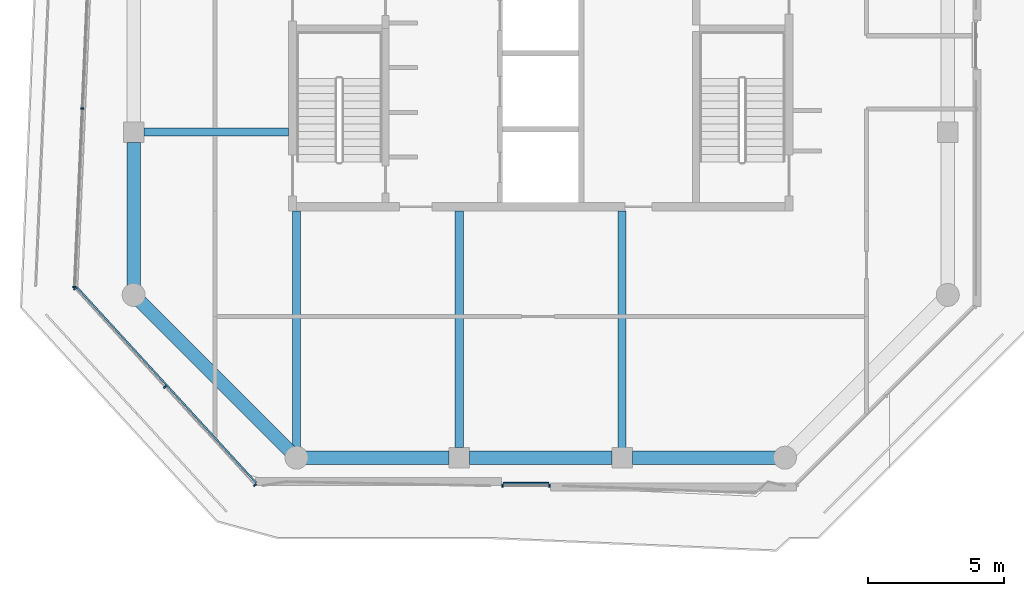
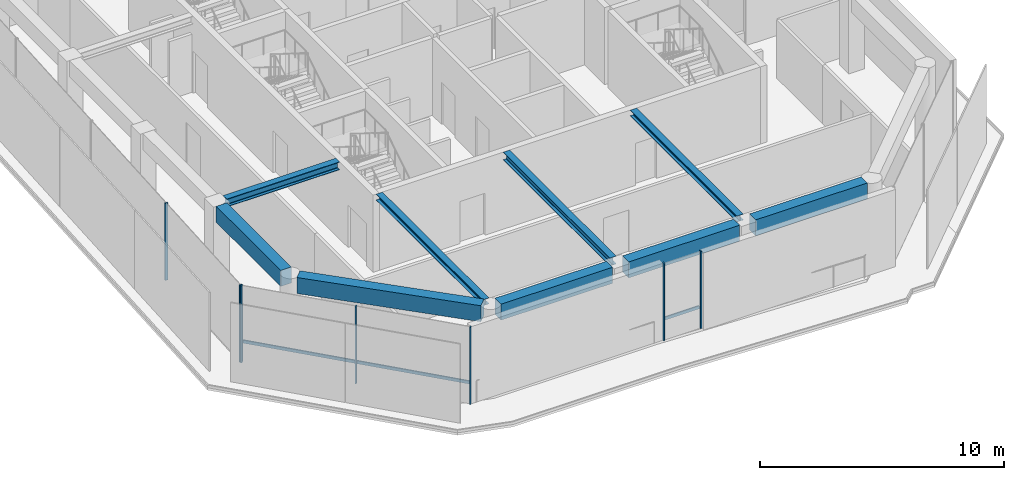
# One storey, part 2 of 19: 9 beams, 9 members, 3 elements without a shape of their own.
"""IFC4 building model written with IfcOpenShell, lengths in metres."""

from ifc_helpers import new_model, si_unit, direction, frame, origin, origin_2d, place, context, subcontext, project, spatial, rectangle, i_section, extrude, material, layer, layer_set, material_profile, profile_set, type_object, element, aggregate, save


model = new_model("IFC4")

# Units and contexts
model_context = context("Model", 3, precision=1e-05, world=origin(), true_north=direction((0.0, 1.0)))
body_context = subcontext(model_context, "Body", "Model", "MODEL_VIEW")
ifc_project = project(units=[si_unit("LENGTHUNIT", "METRE"), si_unit("AREAUNIT", "SQUARE_METRE"), si_unit("VOLUMEUNIT", "CUBIC_METRE"), si_unit("PLANEANGLEUNIT", "RADIAN"), si_unit("MASSUNIT", "GRAM", prefix="KILO")], contexts=[model_context])

# Site, building, storey
site_placement = place(None, origin())
site = spatial("IfcSite", under=ifc_project, at=site_placement, CompositionType="ELEMENT")
building_placement = place(site_placement, origin())
building = spatial("IfcBuilding", under=site, at=building_placement, Name="Welwitschia Terrace Campus", CompositionType="ELEMENT")
storey_placement = place(building_placement, frame((0.0, 0.0, 276.800048828125)))
storey = spatial("IfcBuildingStorey", under=building, at=storey_placement, Name="L61", CompositionType="ELEMENT", Elevation=276.800048828125)

# Beams
ifc_material_1 = material(Name="Steel S355", Category="steel")
ifc_material_profile_1 = material_profile(ifc_material_1, i_section(OverallWidth=0.300048828125, OverallDepth=0.300048828125, WebThickness=0.010986328125, FlangeThickness=0.01904296875, FilletRadius=0.027099609375, at=origin_2d()))
ifc_profile_set_1 = profile_set([ifc_material_profile_1], Name="Steel S355")
beam_type_1 = type_object("IfcBeamType", Name="Interior girder HE 300 B", PredefinedType="BEAM", material=ifc_profile_set_1)
beam_1_placement = place(storey_placement, frame((6.0, -3.611572265625, 3.699951171875), z_axis=(0.0, 1.0, 0.0), x_axis=(-1.0, 0.0, 0.0)))
element("IfcBeam", 1, at=beam_1_placement, inside=storey, type_object=beam_type_1, Name="Girder GB6", PredefinedType="BEAM", context=body_context, shape_type="SweptSolid", body=[
    extrude(i_section(OverallWidth=0.300048828125, OverallDepth=0.300048828125, WebThickness=0.010986328125, FlangeThickness=0.01904296875, FilletRadius=0.027099609375, at=origin_2d()), origin(), (0.0, 0.0, 1.0), 8.710693359375),
])
beam_2_placement = place(storey_placement, frame((18.0, -3.634521484375, 3.699951171875), z_axis=(0.0, 1.0, 0.0), x_axis=(-1.0, 0.0, 0.0)))
element("IfcBeam", 2, at=beam_2_placement, inside=storey, type_object=beam_type_1, Name="Girder GB6", PredefinedType="BEAM", context=body_context, shape_type="SweptSolid", body=[
    extrude(i_section(OverallWidth=0.300048828125, OverallDepth=0.300048828125, WebThickness=0.010986328125, FlangeThickness=0.01904296875, FilletRadius=0.027099609375, at=origin_2d()), origin(), (0.0, 0.0, 1.0), 8.733642578125),
])

# Curtain wall, members
ifc_material_2 = material(Name="Bronze anodised aluminium", Category="aluminium")
ifc_layer = layer(ifc_material_2, 0.1201171875)
ifc_layer_set = layer_set([ifc_layer], Name="Bronze anodised aluminium")
curtain_wall_type = type_object("IfcCurtainWallType", Name="Curtain wall CW2 tower 6000", PredefinedType="NOTDEFINED", material=ifc_layer_set)
curtain_wall_1_placement = place(storey_placement, origin())
curtain_wall_1 = element("IfcCurtainWall", 3, at=curtain_wall_1_placement, inside=storey, type_object=curtain_wall_type, Name="CW L61.0.0", PredefinedType="NOTDEFINED")
ifc_material_3 = material(Name="Bronze anodised aluminium", Category="aluminium")
ifc_material_profile_2 = material_profile(ifc_material_3, rectangle(XDim=0.1201171875, YDim=0.06005859375, at=origin_2d()))
ifc_profile_set_2 = profile_set([ifc_material_profile_2], Name="Bronze anodised aluminium")
member_type_1 = type_object("IfcMemberType", Name="Mullion 60x120", PredefinedType="MULLION", material=ifc_profile_set_2)
member_1_placement = place(storey_placement, frame((-1.896484375, 8.868896484375, 0.0), z_axis=(0.0, 0.0, 1.0), x_axis=(0.999048221582, -0.043619387365, 0.0)))
member_1 = element("IfcMember", 4, at=member_1_placement, type_object=member_type_1, Name="Mullion L61.0.0.3", PredefinedType="MULLION", context=body_context, shape_type="SweptSolid", body=[
    extrude(rectangle(XDim=0.1201171875, YDim=0.06005859375, at=origin_2d()), origin(), (0.0, 0.0, 1.0), 3.849853515625),
])
member_2_placement = place(storey_placement, frame((-2.18408203125, 2.283203125, 0.0), z_axis=(0.0, 0.0, 1.0), x_axis=(0.999048221582, -0.043619387365, 0.0)))
member_2 = element("IfcMember", 5, at=member_2_placement, type_object=member_type_1, Name="Mullion L61.0.0.4", PredefinedType="MULLION", context=body_context, shape_type="SweptSolid", body=[
    extrude(rectangle(XDim=0.1201171875, YDim=0.06005859375, at=origin_2d()), origin(), (0.0, 0.0, 1.0), 3.849853515625),
])
aggregate(curtain_wall_1, [member_1, member_2])

curtain_wall_2_placement = place(storey_placement, origin())
curtain_wall_2 = element("IfcCurtainWall", 6, at=curtain_wall_2_placement, inside=storey, type_object=curtain_wall_type, Name="CW L61.1.0", PredefinedType="NOTDEFINED")
member_3_placement = place(storey_placement, frame((-2.1650390625, 2.231201171875, 0.0), z_axis=(0.0, 0.0, 1.0), x_axis=(0.73727733681, 0.675590207616, 0.0)))
member_3 = element("IfcMember", 7, at=member_3_placement, type_object=member_type_1, Name="Mullion L61.1.0.0", PredefinedType="MULLION", context=body_context, shape_type="SweptSolid", body=[
    extrude(rectangle(XDim=0.1201171875, YDim=0.06005859375, at=origin_2d()), origin(), (0.0, 0.0, 1.0), 3.849853515625),
])
member_4_placement = place(storey_placement, frame((1.151611328125, -1.388427734375, 0.0), z_axis=(0.0, 0.0, 1.0), x_axis=(0.73727733681, 0.675590207616, 0.0)))
member_4 = element("IfcMember", 8, at=member_4_placement, type_object=member_type_1, Name="Mullion L61.1.0.1", PredefinedType="MULLION", context=body_context, shape_type="SweptSolid", body=[
    extrude(rectangle(XDim=0.1201171875, YDim=0.06005859375, at=origin_2d()), origin(), (0.0, 0.0, 1.0), 3.849853515625),
])
member_5_placement = place(storey_placement, frame((4.46826171875, -5.0078125, 0.0), z_axis=(0.0, 0.0, 1.0), x_axis=(0.73727733681, 0.675590207616, 0.0)))
member_5 = element("IfcMember", 9, at=member_5_placement, type_object=member_type_1, Name="Mullion L61.1.0.2", PredefinedType="MULLION", context=body_context, shape_type="SweptSolid", body=[
    extrude(rectangle(XDim=0.1201171875, YDim=0.06005859375, at=origin_2d()), origin(), (0.0, 0.0, 1.0), 3.849853515625),
])

curtain_wall_3_placement = place(storey_placement, origin())
curtain_wall_3 = element("IfcCurtainWall", 10, at=curtain_wall_3_placement, inside=storey, type_object=curtain_wall_type, Name="CW L61.2.S0", PredefinedType="NOTDEFINED")
member_6_placement = place(storey_placement, frame((13.587646484375, -5.030029296875, 0.0), z_axis=(0.0, 0.0, 1.0), x_axis=(0.0, 1.0, 0.0)))
member_6 = element("IfcMember", 11, at=member_6_placement, type_object=member_type_1, Name="Mullion L61.2.S0.0", PredefinedType="MULLION", context=body_context, shape_type="SweptSolid", body=[
    extrude(rectangle(XDim=0.1201171875, YDim=0.06005859375, at=origin_2d()), origin(), (0.0, 0.0, 1.0), 3.849853515625),
])
member_7_placement = place(storey_placement, frame((15.32763671875, -5.030029296875, 0.0), z_axis=(0.0, 0.0, 1.0), x_axis=(0.0, 1.0, 0.0)))
member_7 = element("IfcMember", 12, at=member_7_placement, type_object=member_type_1, Name="Mullion L61.2.S0.1", PredefinedType="MULLION", context=body_context, shape_type="SweptSolid", body=[
    extrude(rectangle(XDim=0.1201171875, YDim=0.06005859375, at=origin_2d()), origin(), (0.0, 0.0, 1.0), 3.849853515625),
])

# Beams
ifc_material_4 = material(Name="Steel S355", Category="steel")
ifc_material_profile_3 = material_profile(ifc_material_4, i_section(OverallWidth=0.300048828125, OverallDepth=0.39990234375, WebThickness=0.013427734375, FlangeThickness=0.02392578125, FilletRadius=0.027099609375, at=origin_2d()))
ifc_profile_set_3 = profile_set([ifc_material_profile_3], Name="Steel S355")
beam_type_2 = type_object("IfcBeamType", Name="Primary beam HE 400 B", PredefinedType="BEAM", material=ifc_profile_set_3)
beam_3_placement = place(storey_placement, frame((12.0, -3.62451171875, 3.64990234375), z_axis=(0.0, 1.0, 0.0), x_axis=(-1.0, 0.0, 0.0)))
element("IfcBeam", 13, at=beam_3_placement, inside=storey, type_object=beam_type_2, Name="Primary beam PB6", PredefinedType="BEAM", context=body_context, shape_type="SweptSolid", body=[
    extrude(i_section(OverallWidth=0.300048828125, OverallDepth=0.39990234375, WebThickness=0.013427734375, FlangeThickness=0.02392578125, FilletRadius=0.027099609375, at=origin_2d()), origin(), (0.0, 0.0, 1.0), 8.724609375),
])
beam_4_placement = place(storey_placement, frame((0.37548828125, 8.0, 3.64990234375), z_axis=(1.0, 0.0, 0.0), x_axis=(0.0, 1.0, 0.0)))
element("IfcBeam", 14, at=beam_4_placement, inside=storey, type_object=beam_type_2, Name="Primary beam PB6", PredefinedType="BEAM", context=body_context, shape_type="SweptSolid", body=[
    extrude(i_section(OverallWidth=0.300048828125, OverallDepth=0.39990234375, WebThickness=0.013427734375, FlangeThickness=0.02392578125, FilletRadius=0.027099609375, at=origin_2d()), origin(), (0.0, 0.0, 1.0), 5.324462890625),
])
ifc_material_5 = material(Name="Concrete C50/60", Category="concrete")
ifc_material_profile_4 = material_profile(ifc_material_5, rectangle(XDim=0.5, YDim=0.800048828125, at=origin_2d()))
ifc_profile_set_4 = profile_set([ifc_material_profile_4], Name="Concrete C50/60")
beam_type_3 = type_object("IfcBeamType", Name="Ring spandrel 500x800", PredefinedType="SPANDREL", material=ifc_profile_set_4)
beam_5_placement = place(storey_placement, frame((0.24365234375, 1.75634765625, 3.449951171875), z_axis=(0.707106781187, -0.707106781187, 0.0), x_axis=(0.707106781187, 0.707106781187, 0.0)))
element("IfcBeam", 15, at=beam_5_placement, inside=storey, type_object=beam_type_3, Name="Spandrel SP4", PredefinedType="SPANDREL", context=body_context, shape_type="SweptSolid", body=[
    extrude(rectangle(XDim=0.5, YDim=0.800048828125, at=origin_2d()), origin(), (0.0, 0.0, 1.0), 7.796142578125),
])
beam_6_placement = place(storey_placement, frame((6.344482421875, -4.0, 3.449951171875), z_axis=(1.0, 0.0, 0.0), x_axis=(0.0, 1.0, 0.0)))
element("IfcBeam", 16, at=beam_6_placement, inside=storey, type_object=beam_type_3, Name="Spandrel SP4", PredefinedType="SPANDREL", context=body_context, shape_type="SweptSolid", body=[
    extrude(rectangle(XDim=0.5, YDim=0.800048828125, at=origin_2d()), origin(), (0.0, 0.0, 1.0), 5.280029296875),
])
beam_7_placement = place(storey_placement, frame((12.37548828125, -4.0, 3.449951171875), z_axis=(1.0, 0.0, 0.0), x_axis=(0.0, 1.0, 0.0)))
element("IfcBeam", 17, at=beam_7_placement, inside=storey, type_object=beam_type_3, Name="Spandrel SP4", PredefinedType="SPANDREL", context=body_context, shape_type="SweptSolid", body=[
    extrude(rectangle(XDim=0.5, YDim=0.800048828125, at=origin_2d()), origin(), (0.0, 0.0, 1.0), 5.2490234375),
])
for number, where, z_axis, x_axis, name in (
    (18, (18.37548828125, -4.0, 3.449951171875), (1.0, 0.0, 0.0), (0.0, 1.0, 0.0), "Spandrel SP4"),
    (19, (0.0, 7.62451171875, 3.449951171875), (0.0, -1.0, 0.0), (1.0, 0.0, 0.0), "Spandrel SP4"),
):
    element("IfcBeam", number, at=place(storey_placement, frame(where, z_axis=z_axis, x_axis=x_axis)), inside=storey, type_object=beam_type_3, Name=name, PredefinedType="SPANDREL", context=body_context, shape_type="SweptSolid", body=[
        extrude(rectangle(XDim=0.5, YDim=0.800048828125, at=origin_2d()), origin(), (0.0, 0.0, 1.0), 5.280029296875),
    ])

# Member
ifc_material_6 = material(Name="Bronze anodised aluminium", Category="aluminium")
ifc_material_profile_5 = material_profile(ifc_material_6, rectangle(XDim=0.06005859375, YDim=0.14990234375, at=origin_2d()))
ifc_profile_set_5 = profile_set([ifc_material_profile_5], Name="Bronze anodised aluminium")
member_type_2 = type_object("IfcMemberType", Name="Transom 60x150", PredefinedType="USERDEFINED", material=ifc_profile_set_5)
member_8_placement = place(storey_placement, frame((-2.078369140625, 2.269775390625, 1.0), z_axis=(0.675586403923, -0.737280822234, 0.0), x_axis=(0.737280822234, 0.675586403923, 0.0)))
member_8 = element("IfcMember", 20, at=member_8_placement, type_object=member_type_2, Name="Transom L61.1.0", ObjectType="TRANSOM", PredefinedType="USERDEFINED", context=body_context, shape_type="SweptSolid", body=[
    extrude(rectangle(XDim=0.06005859375, YDim=0.14990234375, at=origin_2d()), origin(), (0.0, 0.0, 1.0), 9.758544921875),
])

aggregate(curtain_wall_2, [member_3, member_4, member_5, member_8])

member_9_placement = place(storey_placement, frame((13.61767578125, -4.93994140625, 1.0), z_axis=(1.0, 0.0, 0.0), x_axis=(0.0, 1.0, 0.0)))
member_9 = element("IfcMember", 21, at=member_9_placement, type_object=member_type_2, Name="Transom L61.2.S0", ObjectType="TRANSOM", PredefinedType="USERDEFINED", context=body_context, shape_type="SweptSolid", body=[
    extrude(rectangle(XDim=0.06005859375, YDim=0.14990234375, at=origin_2d()), origin(), (0.0, 0.0, 1.0), 1.679931640625),
])

aggregate(curtain_wall_3, [member_6, member_7, member_9])

save(model, "model.ifc")
